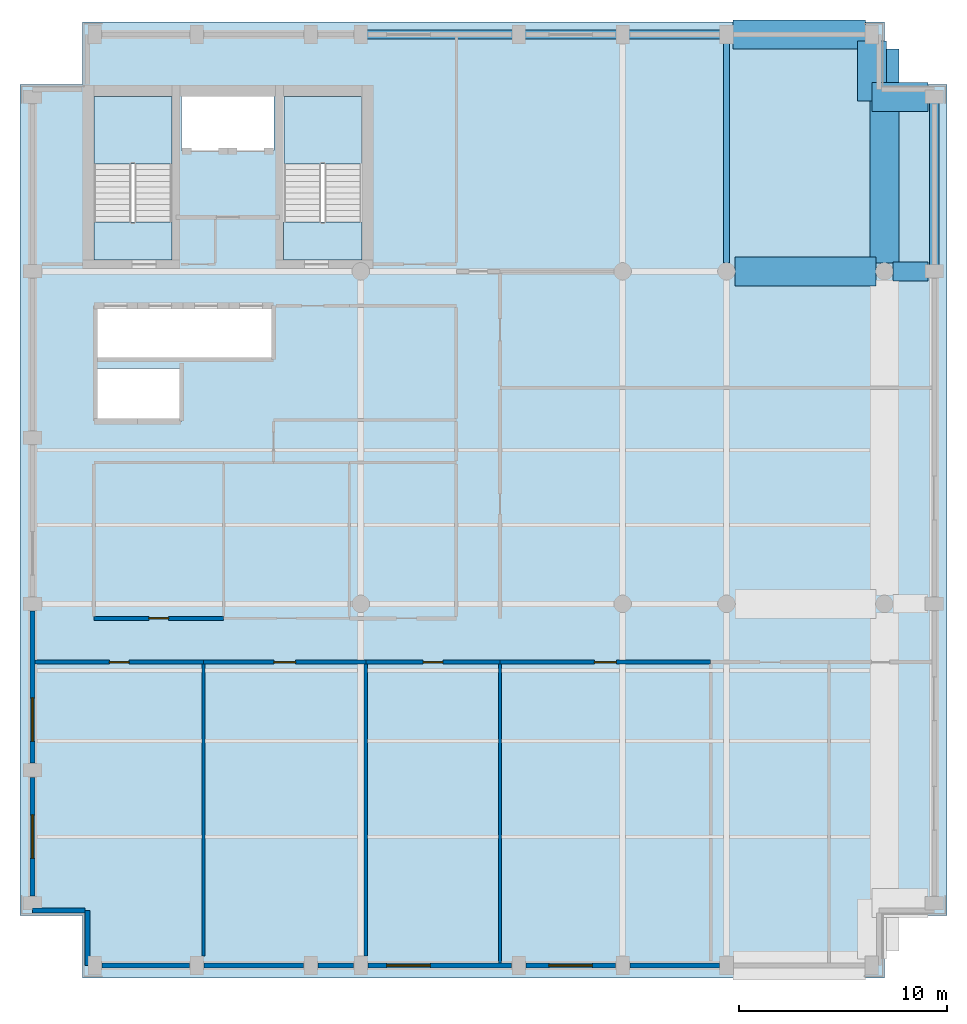
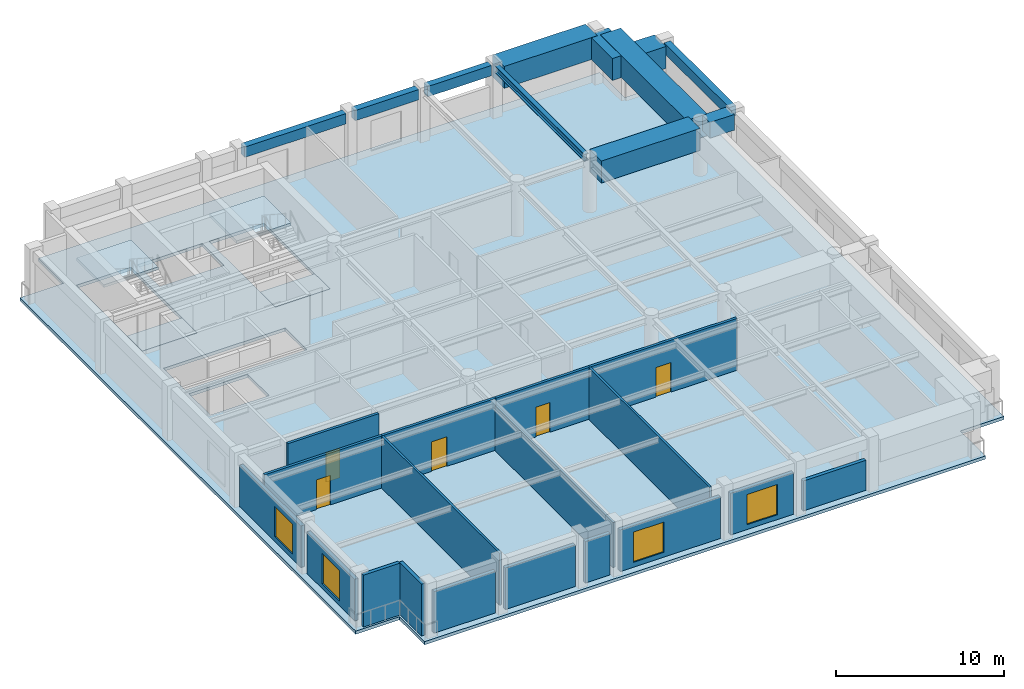
# One storey, part 2 of 8: 18 walls, 11 beams, 5 doors, 5 slabs, 4 windows, 9 openings, 2 elements without a shape of their own.
"""IFC4 building model written with IfcOpenShell, lengths in metres."""

from ifc_helpers import new_model, si_unit, direction, frame, frame_2d, origin, origin_2d, place, context, subcontext, project, spatial, polyline, rectangle, i_section, outline, extrude, material, layer, layer_set, material_profile, profile_set, type_object, element, fill, aggregate, save


model = new_model("IFC4")

# Units and contexts
model_context = context("Model", 3, precision=1e-05, world=origin(), true_north=direction((0.0, 1.0)))
body_context = subcontext(model_context, "Body", "Model", "MODEL_VIEW")
ifc_project = project(units=[si_unit("LENGTHUNIT", "METRE"), si_unit("AREAUNIT", "SQUARE_METRE"), si_unit("VOLUMEUNIT", "CUBIC_METRE"), si_unit("PLANEANGLEUNIT", "RADIAN"), si_unit("MASSUNIT", "GRAM", prefix="KILO")], contexts=[model_context])

# Site, building, storey
site_placement = place(None, origin())
site = spatial("IfcSite", under=ifc_project, at=site_placement, CompositionType="ELEMENT")
building_placement = place(site_placement, origin())
building = spatial("IfcBuilding", under=site, at=building_placement, Name="Sulina Concourse Tower", CompositionType="ELEMENT")
storey_placement = place(building_placement, frame((0.0, 0.0, 293.0)))
storey = spatial("IfcBuildingStorey", under=building, at=storey_placement, Name="L71", CompositionType="ELEMENT", Elevation=293.0)

# Beams
ifc_material_1 = material(Name="Steel S355", Category="steel")
ifc_material_profile_1 = material_profile(ifc_material_1, i_section(OverallWidth=0.300048828125, OverallDepth=0.5, WebThickness=0.014404296875, FlangeThickness=0.028076171875, at=origin_2d()), Name="HE 500 B")
ifc_profile_set_1 = profile_set([ifc_material_profile_1], Name="Steel S355")
beam_type_1 = type_object("IfcBeamType", Name="Crown & Canopy Primary Girder HE500B", PredefinedType="BEAM", material=ifc_profile_set_1)
beam_1_placement = place(storey_placement, frame((34.0, 34.405029296875, 3.52490234375), z_axis=(0.0, 1.0, 0.0), x_axis=(-1.0, 0.0, 0.0)))
element("IfcBeam", 1, at=beam_1_placement, inside=storey, type_object=beam_type_1, Name="FG-NSC-34-L71", PredefinedType="BEAM", context=body_context, shape_type="SweptSolid", body=[
    extrude(i_section(OverallWidth=0.300048828125, OverallDepth=0.5, WebThickness=0.014404296875, FlangeThickness=0.028076171875, at=origin_2d()), origin(), (0.0, 0.0, 1.0), 10.68994140625),
])
ifc_material_2 = material(Name="Concrete C60/75", Category="concrete")
ifc_material_profile_2 = material_profile(ifc_material_2, rectangle(XDim=1.39990234375, YDim=1.60009765625, at=origin_2d()), Name="RC 1400x1600")
ifc_profile_set_2 = profile_set([ifc_material_profile_2], Name="Concrete C60/75")
beam_type_2 = type_object("IfcBeamType", Name="Perimeter & Step Transfer Girder 1400x1600", PredefinedType="BEAM", material=ifc_profile_set_2)
beam_2_placement = place(storey_placement, frame((34.304931640625, 45.39990234375, 2.97509765625), z_axis=(1.0, 0.0, 0.0), x_axis=(0.0, 1.0, 0.0)))
element("IfcBeam", 2, at=beam_2_placement, inside=storey, type_object=beam_type_2, Name="TG-CSTEP-N7-L71", PredefinedType="BEAM", context=body_context, shape_type="SweptSolid", body=[
    extrude(rectangle(XDim=1.39990234375, YDim=1.60009765625, at=origin_2d()), origin(), (0.0, 0.0, 1.0), 6.39013671875),
])
beam_3_placement = place(storey_placement, frame((41.0, 42.39990234375, 2.965087890625), z_axis=(1.0, 0.0, 0.0), x_axis=(0.0, 1.0, 0.0)))
element("IfcBeam", 3, at=beam_3_placement, inside=storey, type_object=beam_type_2, Name="TIE-NE-L71", PredefinedType="BEAM", context=body_context, shape_type="SweptSolid", body=[
    extrude(rectangle(XDim=1.39990234375, YDim=1.60009765625, at=origin_2d()), origin(), (0.0, 0.0, 1.0), 2.695068359375),
])
beam_4_placement = place(storey_placement, frame((41.0, 42.199951171875, 2.965087890625), z_axis=(0.0, 1.0, 0.0), x_axis=(-1.0, 0.0, 0.0)))
element("IfcBeam", 4, at=beam_4_placement, inside=storey, type_object=beam_type_2, Name="TIE-NEN-L71", PredefinedType="BEAM", context=body_context, shape_type="SweptSolid", body=[
    extrude(rectangle(XDim=1.39990234375, YDim=1.60009765625, at=origin_2d()), origin(), (0.0, 0.0, 1.0), 2.89501953125),
])
beam_5_placement = place(storey_placement, frame((34.405029296875, 34.0, 2.97509765625), z_axis=(1.0, 0.0, 0.0), x_axis=(0.0, 1.0, 0.0)))
element("IfcBeam", 5, at=beam_5_placement, inside=storey, type_object=beam_type_2, Name="TG-EW-N4-L71", PredefinedType="BEAM", context=body_context, shape_type="SweptSolid", body=[
    extrude(rectangle(XDim=1.39990234375, YDim=1.60009765625, at=origin_2d()), origin(), (0.0, 0.0, 1.0), 6.7900390625),
])
beam_6_placement = place(storey_placement, frame((41.60009765625, 34.405029296875, 2.97509765625), z_axis=(0.0, 1.0, 0.0), x_axis=(-1.0, 0.0, 0.0)))
element("IfcBeam", 6, at=beam_6_placement, inside=storey, type_object=beam_type_2, Name="TG-NS-N-41-L71", PredefinedType="BEAM", context=body_context, shape_type="SweptSolid", body=[
    extrude(rectangle(XDim=1.39990234375, YDim=1.60009765625, at=origin_2d()), origin(), (0.0, 0.0, 1.0), 10.294921875),
])
ifc_material_3 = material(Name="Concrete C60/75", Category="concrete")
ifc_material_profile_3 = material_profile(ifc_material_3, rectangle(XDim=0.89990234375, YDim=1.14990234375, at=origin_2d()), Name="RC 900x1150")
ifc_profile_set_3 = profile_set([ifc_material_profile_3], Name="Concrete C60/75")
beam_type_3 = type_object("IfcBeamType", Name="Short-Span Step Transfer Beam 900x1150", PredefinedType="BEAM", material=ifc_profile_set_3)
beam_7_placement = place(storey_placement, frame((42.0048828125, 34.0, 3.18994140625), z_axis=(1.0, 0.0, 0.0), x_axis=(0.0, 1.0, 0.0)))
element("IfcBeam", 7, at=beam_7_placement, inside=storey, type_object=beam_type_3, Name="TG-EW-N5-L71", PredefinedType="BEAM", context=body_context, shape_type="SweptSolid", body=[
    extrude(rectangle(XDim=0.89990234375, YDim=1.14990234375, at=origin_2d()), origin(), (0.0, 0.0, 1.0), 1.690185546875),
])
ifc_material_4 = material(Name="Precast concrete C50/60", Category="concrete")
ifc_material_profile_4 = material_profile(ifc_material_4, rectangle(XDim=0.449951171875, YDim=0.75, at=origin_2d()), Name="RC 450x750")
ifc_profile_set_4 = profile_set([ifc_material_profile_4], Name="Precast concrete C50/60")
beam_type_4 = type_object("IfcBeamType", Name="Upper Precast Spandrel Edge Beam 450x750", PredefinedType="BEAM", material=ifc_profile_set_4)
beam_8_placement = place(storey_placement, frame((16.705078125, 45.39990234375, 3.39990234375), z_axis=(1.0, 0.0, 0.0), x_axis=(0.0, 1.0, 0.0)))
element("IfcBeam", 8, at=beam_8_placement, inside=storey, type_object=beam_type_4, Name="SP-N4-L71", PredefinedType="BEAM", context=body_context, shape_type="SweptSolid", body=[
    extrude(rectangle(XDim=0.449951171875, YDim=0.75, at=origin_2d()), origin(), (0.0, 0.0, 1.0), 6.989990234375),
])
for number, where, z_axis, x_axis, name in (
    (9, (24.304931640625, 45.39990234375, 3.39990234375), (1.0, 0.0, 0.0), (0.0, 1.0, 0.0), "SP-N5-L71"),
    (10, (29.304931640625, 45.39990234375, 3.39990234375), (1.0, 0.0, 0.0), (0.0, 1.0, 0.0), "SP-N6-L71"),
):
    element("IfcBeam", number, at=place(storey_placement, frame(where, z_axis=z_axis, x_axis=x_axis)), inside=storey, type_object=beam_type_4, Name=name, PredefinedType="BEAM", context=body_context, shape_type="SweptSolid", body=[
        extrude(rectangle(XDim=0.449951171875, YDim=0.75, at=origin_2d()), origin(), (0.0, 0.0, 1.0), 4.39013671875),
    ])
beam_9_placement = place(storey_placement, frame((44.0, 34.304931640625, 3.389892578125), z_axis=(0.0, 1.0, 0.0), x_axis=(-1.0, 0.0, 0.0)))
element("IfcBeam", 11, at=beam_9_placement, inside=storey, type_object=beam_type_4, Name="SP-E3-L71", PredefinedType="BEAM", context=body_context, shape_type="SweptSolid", body=[
    extrude(rectangle(XDim=0.449951171875, YDim=0.75, at=origin_2d()), origin(), (0.0, 0.0, 1.0), 7.7900390625),
])

# Slabs
ifc_material_5 = material(Name="Concrete C50/60", Category="concrete")
ifc_layer_1 = layer(ifc_material_5, 0.22509765625)
ifc_layer_set_1 = layer_set([ifc_layer_1], Name="Concrete C50/60")
slab_type_1 = type_object("IfcSlabType", Name="Crown & Observation Floor Slab 225mm", PredefinedType="FLOOR", material=ifc_layer_set_1)
slab_1_placement = place(storey_placement, frame((0.0, 0.0, -0.22509765625)))
element("IfcSlab", 12, at=slab_1_placement, inside=storey, type_object=slab_type_1, Name="L71 structural floor slab", PredefinedType="FLOOR", context=body_context, shape_type="SweptSolid", body=[
    extrude(outline(polyline([(3.0, 0.0), (41.60009765625, 0.0), (41.60009765625, 3.0), (44.60009765625, 3.0), (44.60009765625, 43.0), (41.60009765625, 43.0), (41.60009765625, 46.0), (3.0, 46.0), (3.0, 43.0), (0.0, 43.0), (0.0, 3.0), (3.0, 3.0), (3.0, 0.0)]), holes=[polyline([(7.31005859375, 34.550048828125), (7.31005859375, 42.429931640625), (3.550048828125, 42.429931640625), (3.550048828125, 34.550048828125), (7.31005859375, 34.550048828125)]), polyline([(16.449951171875, 34.550048828125), (16.449951171875, 42.429931640625), (12.68994140625, 42.429931640625), (12.68994140625, 34.550048828125), (16.449951171875, 34.550048828125)]), polyline([(7.780029296875, 39.830078125), (12.219970703125, 39.830078125), (12.219970703125, 42.449951171875), (7.780029296875, 42.449951171875), (7.780029296875, 39.830078125)]), polyline([(3.739990234375, 26.780029296875), (7.77001953125, 26.780029296875), (7.77001953125, 29.320068359375), (3.739990234375, 29.320068359375), (3.739990234375, 26.780029296875)]), polyline([(3.739990234375, 29.780029296875), (12.10009765625, 29.780029296875), (12.10009765625, 32.3701171875), (3.739990234375, 32.3701171875), (3.739990234375, 29.780029296875)])]), origin(), (0.0, 0.0, 1.0), 0.22509765625),
])
ifc_material_6 = material(Name="Concrete C50/60", Category="concrete")
ifc_layer_2 = layer(ifc_material_6, 0.199951171875)
ifc_layer_set_2 = layer_set([ifc_layer_2], Name="Concrete C50/60")
slab_type_2 = type_object("IfcSlabType", Name="Primary Core Stair Landing Slab 200mm", PredefinedType="LANDING", material=ifc_layer_set_2)
slab_2_placement = place(storey_placement, frame((0.0, 0.0, -0.199951171875)))
element("IfcSlab", 13, at=slab_2_placement, inside=storey, type_object=slab_type_2, Name="L71 ST-1 floor landing slab", PredefinedType="LANDING", context=body_context, shape_type="SweptSolid", body=[
    extrude(outline(polyline([(7.31005859375, 34.550048828125), (7.31005859375, 36.375), (3.550048828125, 36.375), (3.550048828125, 34.550048828125), (7.31005859375, 34.550048828125)])), origin(), (0.0, 0.0, 1.0), 0.199951171875),
])
slab_3_placement = place(storey_placement, frame((0.0, 0.0, -0.199951171875)))
element("IfcSlab", 14, at=slab_3_placement, inside=storey, type_object=slab_type_2, Name="L71 ST-2 floor landing slab", PredefinedType="LANDING", context=body_context, shape_type="SweptSolid", body=[
    extrude(outline(polyline([(16.449951171875, 34.550048828125), (16.449951171875, 36.375), (12.68994140625, 36.375), (12.68994140625, 34.550048828125), (16.449951171875, 34.550048828125)])), origin(), (0.0, 0.0, 1.0), 0.199951171875),
])

# Stair, slab
ifc_material_7 = material(Name="Concrete C50/60", Category="concrete")
stair_type = type_object("IfcStairType", Name="Primary Core Dog-Leg Exit Stair 1800mm", PredefinedType="HALF_TURN_STAIR", material=ifc_material_7)
stair_1_placement = place(storey_placement, origin())
stair_1 = element("IfcStair", 15, at=stair_1_placement, inside=storey, type_object=stair_type, Name="L71 ST-1", PredefinedType="HALF_TURN_STAIR")
slab_4_placement = place(storey_placement, frame((0.0, 0.0, 1.800048828125)))
slab_4 = element("IfcSlab", 16, at=slab_4_placement, type_object=slab_type_2, Name="ST-1 landing 1", PredefinedType="LANDING", context=body_context, shape_type="SweptSolid", body=[
    extrude(outline(polyline([(7.304931640625, 39.175048828125), (7.304931640625, 42.425048828125), (3.554931640625, 42.425048828125), (3.554931640625, 39.175048828125), (7.304931640625, 39.175048828125)])), origin(), (0.0, 0.0, 1.0), 0.199951171875),
])
aggregate(stair_1, [slab_4])

stair_2_placement = place(storey_placement, origin())
stair_2 = element("IfcStair", 17, at=stair_2_placement, inside=storey, type_object=stair_type, Name="L71 ST-2", PredefinedType="HALF_TURN_STAIR")
slab_5_placement = place(storey_placement, frame((0.0, 0.0, 1.800048828125)))
slab_5 = element("IfcSlab", 18, at=slab_5_placement, type_object=slab_type_2, Name="ST-2 landing 1", PredefinedType="LANDING", context=body_context, shape_type="SweptSolid", body=[
    extrude(outline(polyline([(16.445068359375, 39.175048828125), (16.445068359375, 42.425048828125), (12.695068359375, 42.425048828125), (12.695068359375, 39.175048828125), (16.445068359375, 39.175048828125)])), origin(), (0.0, 0.0, 1.0), 0.199951171875),
])
aggregate(stair_2, [slab_5])

# Walls
ifc_material_8 = material(Name="Precast concrete C50/60", Category="concrete")
ifc_layer_3 = layer(ifc_material_8, 0.239990234375)
ifc_layer_set_3 = layer_set([ifc_layer_3], Name="Precast concrete C50/60")
wall_type_1 = type_object("IfcWallType", Name="Crown Precast Masonry-Frame Facade Wall 240mm", PredefinedType="SOLIDWALL", material=ifc_layer_set_3)
wall_1_placement = place(storey_placement, frame((8.155029296875, 0.60009765625, 0.0), z_axis=(0.0, 0.0, 1.0), x_axis=(-1.0, 0.0, 0.0)))
element("IfcWall", 19, at=wall_1_placement, inside=storey, type_object=wall_type_1, Name="L71 exterior precast wall S1", PredefinedType="SOLIDWALL", context=body_context, shape_type="SweptSolid", body=[
    extrude(rectangle(XDim=4.2099609375, YDim=0.239990234375, at=frame_2d((2.10498046875, 0.0))), origin(), (0.0, 0.0, 1.0), 3.02490234375),
])
wall_2_placement = place(storey_placement, frame((13.655029296875, 0.60009765625, 0.0), z_axis=(0.0, 0.0, 1.0), x_axis=(-1.0, 0.0, 0.0)))
element("IfcWall", 20, at=wall_2_placement, inside=storey, type_object=wall_type_1, Name="L71 exterior precast wall S2", PredefinedType="SOLIDWALL", context=body_context, shape_type="SweptSolid", body=[
    extrude(rectangle(XDim=4.81005859375, YDim=0.239990234375, at=frame_2d((2.405029296875, 0.0))), origin(), (0.0, 0.0, 1.0), 3.02490234375),
])
wall_3_placement = place(storey_placement, frame((16.054931640625, 0.60009765625, 0.0), z_axis=(0.0, 0.0, 1.0), x_axis=(-1.0, 0.0, 0.0)))
element("IfcWall", 21, at=wall_3_placement, inside=storey, type_object=wall_type_1, Name="L71 exterior precast wall S3", PredefinedType="SOLIDWALL", context=body_context, shape_type="SweptSolid", body=[
    extrude(rectangle(XDim=1.7099609375, YDim=0.239990234375, at=frame_2d((0.85498046875, 0.0))), origin(), (0.0, 0.0, 1.0), 3.02490234375),
])

# Wall, opening, window
wall_4_placement = place(storey_placement, frame((23.655029296875, 0.60009765625, 0.0), z_axis=(0.0, 0.0, 1.0), x_axis=(-1.0, 0.0, 0.0)))
wall_4 = element("IfcWall", 22, at=wall_4_placement, inside=storey, type_object=wall_type_1, Name="L71 exterior precast wall S4", PredefinedType="SOLIDWALL", context=body_context, shape_type="SweptSolid", body=[
    extrude(rectangle(XDim=6.909912109375, YDim=0.239990234375, at=frame_2d((3.455078125, 0.0))), origin(), (0.0, 0.0, 1.0), 3.02490234375),
])
opening_1_placement = place(wall_4_placement, frame((3.90673828125, 0.0, 0.35009765625)))
opening_1 = element("IfcOpeningElement", 23, at=opening_1_placement, cuts=wall_4, Name="Opening WN-33", PredefinedType="OPENING", context=body_context, shape_type="SweptSolid", body=[
    extrude(rectangle(XDim=2.10009765625, YDim=2.199951171875, at=frame_2d((1.050048828125, 1.10009765625))), frame((0.0, 0.1298828125, 0.0), z_axis=(0.0, -1.0, 0.0), x_axis=(1.0, 0.0, 0.0)), (0.0, 0.0, 1.0), 0.260009765625),
])
ifc_material_9 = material(Name="Low-E solar double glazing in bronze aluminium", Category="aluminium")
window_type = type_object("IfcWindowType", Name="Punched Masonry-Frame Window 2100x2200", PartitioningType="DOUBLE_PANEL_VERTICAL", PredefinedType="WINDOW", material=ifc_material_9)
window_1_placement = place(opening_1_placement, origin())
window_1 = element("IfcWindow", 24, at=window_1_placement, inside=storey, type_object=window_type, Name="L71 punched window S4-1", OverallHeight=2.199951171875, OverallWidth=2.10009765625, PartitioningType="SINGLE_PANEL", PredefinedType="WINDOW", context=body_context, shape_type="SweptSolid", body=[
    extrude(rectangle(XDim=2.10009765625, YDim=2.199951171875, at=frame_2d((1.050048828125, 1.10009765625))), frame((0.0, 0.030029296875, 0.0), z_axis=(0.0, -1.0, 0.0), x_axis=(1.0, 0.0, 0.0)), (0.0, 0.0, 1.0), 0.06005859375),
])
fill(opening_1, window_1)

wall_5_placement = place(storey_placement, frame((28.655029296875, 0.60009765625, 0.0), z_axis=(0.0, 0.0, 1.0), x_axis=(-1.0, 0.0, 0.0)))
wall_5 = element("IfcWall", 25, at=wall_5_placement, inside=storey, type_object=wall_type_1, Name="L71 exterior precast wall S5", PredefinedType="SOLIDWALL", context=body_context, shape_type="SweptSolid", body=[
    extrude(rectangle(XDim=4.31005859375, YDim=0.239990234375, at=frame_2d((2.155029296875, 0.0))), origin(), (0.0, 0.0, 1.0), 3.02490234375),
])
opening_2_placement = place(wall_5_placement, frame((1.10498046875, 0.0, 0.35009765625)))
opening_2 = element("IfcOpeningElement", 26, at=opening_2_placement, cuts=wall_5, Name="Opening WN-33", PredefinedType="OPENING", context=body_context, shape_type="SweptSolid", body=[
    extrude(rectangle(XDim=2.10009765625, YDim=2.199951171875, at=frame_2d((1.050048828125, 1.10009765625))), frame((0.0, 0.1298828125, 0.0), z_axis=(0.0, -1.0, 0.0), x_axis=(1.0, 0.0, 0.0)), (0.0, 0.0, 1.0), 0.260009765625),
])
window_2_placement = place(opening_2_placement, origin())
window_2 = element("IfcWindow", 27, at=window_2_placement, inside=storey, type_object=window_type, Name="L71 punched window S5-1", OverallHeight=2.199951171875, OverallWidth=2.10009765625, PartitioningType="SINGLE_PANEL", PredefinedType="WINDOW", context=body_context, shape_type="SweptSolid", body=[
    extrude(rectangle(XDim=2.10009765625, YDim=2.199951171875, at=frame_2d((1.050048828125, 1.10009765625))), frame((0.0, 0.030029296875, 0.0), z_axis=(0.0, -1.0, 0.0), x_axis=(1.0, 0.0, 0.0)), (0.0, 0.0, 1.0), 0.06005859375),
])
fill(opening_2, window_2)

# Wall
wall_6_placement = place(storey_placement, frame((33.655029296875, 0.60009765625, 0.0), z_axis=(0.0, 0.0, 1.0), x_axis=(-1.0, 0.0, 0.0)))
element("IfcWall", 28, at=wall_6_placement, inside=storey, type_object=wall_type_1, Name="L71 exterior precast wall S6", PredefinedType="SOLIDWALL", context=body_context, shape_type="SweptSolid", body=[
    extrude(rectangle(XDim=4.31005859375, YDim=0.239990234375, at=frame_2d((2.155029296875, 0.0))), origin(), (0.0, 0.0, 1.0), 2.175048828125),
])

# Wall, opening, window
wall_7_placement = place(storey_placement, frame((0.60009765625, 3.945068359375, 0.0), z_axis=(0.0, 0.0, 1.0), x_axis=(0.0, 1.0, 0.0)))
wall_7 = element("IfcWall", 29, at=wall_7_placement, inside=storey, type_object=wall_type_1, Name="L71 exterior precast wall W1", PredefinedType="SOLIDWALL", context=body_context, shape_type="SweptSolid", body=[
    extrude(rectangle(XDim=5.7099609375, YDim=0.239990234375, at=frame_2d((2.85498046875, 0.0))), origin(), (0.0, 0.0, 1.0), 3.02490234375),
])
opening_3_placement = place(wall_7_placement, frame((1.804931640625, 0.0, 0.35009765625)))
opening_3 = element("IfcOpeningElement", 30, at=opening_3_placement, cuts=wall_7, Name="Opening WN-33", PredefinedType="OPENING", context=body_context, shape_type="SweptSolid", body=[
    extrude(rectangle(XDim=2.10009765625, YDim=2.199951171875, at=frame_2d((1.050048828125, 1.10009765625))), frame((0.0, 0.1298828125, 0.0), z_axis=(0.0, -1.0, 0.0), x_axis=(1.0, 0.0, 0.0)), (0.0, 0.0, 1.0), 0.260009765625),
])
window_3_placement = place(opening_3_placement, origin())
window_3 = element("IfcWindow", 31, at=window_3_placement, inside=storey, type_object=window_type, Name="L71 punched window W1-1", OverallHeight=2.199951171875, OverallWidth=2.10009765625, PartitioningType="SINGLE_PANEL", PredefinedType="WINDOW", context=body_context, shape_type="SweptSolid", body=[
    extrude(rectangle(XDim=2.10009765625, YDim=2.199951171875, at=frame_2d((1.050048828125, 1.10009765625))), frame((0.0, 0.030029296875, 0.0), z_axis=(0.0, -1.0, 0.0), x_axis=(1.0, 0.0, 0.0)), (0.0, 0.0, 1.0), 0.06005859375),
])
fill(opening_3, window_3)

wall_8_placement = place(storey_placement, frame((0.60009765625, 10.344970703125, 0.0), z_axis=(0.0, 0.0, 1.0), x_axis=(0.0, 1.0, 0.0)))
wall_8 = element("IfcWall", 32, at=wall_8_placement, inside=storey, type_object=wall_type_1, Name="L71 exterior precast wall W2", PredefinedType="SOLIDWALL", context=body_context, shape_type="SweptSolid", body=[
    extrude(rectangle(XDim=7.31005859375, YDim=0.239990234375, at=frame_2d((3.655029296875, 0.0))), origin(), (0.0, 0.0, 1.0), 3.02490234375),
])
opening_4_placement = place(wall_8_placement, frame((1.03662109375, 0.0, 0.35009765625)))
opening_4 = element("IfcOpeningElement", 33, at=opening_4_placement, cuts=wall_8, Name="Opening WN-33", PredefinedType="OPENING", context=body_context, shape_type="SweptSolid", body=[
    extrude(rectangle(XDim=2.10009765625, YDim=2.199951171875, at=frame_2d((1.050048828125, 1.10009765625))), frame((0.0, 0.1298828125, 0.0), z_axis=(0.0, -1.0, 0.0), x_axis=(1.0, 0.0, 0.0)), (0.0, 0.0, 1.0), 0.260009765625),
])
window_4_placement = place(opening_4_placement, origin())
window_4 = element("IfcWindow", 34, at=window_4_placement, inside=storey, type_object=window_type, Name="L71 punched window W2-1", OverallHeight=2.199951171875, OverallWidth=2.10009765625, PartitioningType="SINGLE_PANEL", PredefinedType="WINDOW", context=body_context, shape_type="SweptSolid", body=[
    extrude(rectangle(XDim=2.10009765625, YDim=2.199951171875, at=frame_2d((1.050048828125, 1.10009765625))), frame((0.0, 0.030029296875, 0.0), z_axis=(0.0, -1.0, 0.0), x_axis=(1.0, 0.0, 0.0)), (0.0, 0.0, 1.0), 0.06005859375),
])
fill(opening_4, window_4)

# Walls
wall_9_placement = place(storey_placement, frame((3.2548828125, 0.60009765625, 0.0), z_axis=(0.0, 0.0, 1.0), x_axis=(0.0, 1.0, 0.0)))
element("IfcWall", 35, at=wall_9_placement, inside=storey, type_object=wall_type_1, Name="L71 exterior precast wall CSW1", PredefinedType="SOLIDWALL", context=body_context, shape_type="SweptSolid", body=[
    extrude(rectangle(XDim=2.65478515625, YDim=0.239990234375, at=frame_2d((1.327392578125, 0.0))), origin(), (0.0, 0.0, 1.0), 3.77490234375),
])
wall_10_placement = place(storey_placement, frame((3.1298828125, 3.2548828125, 0.0), z_axis=(0.0, 0.0, 1.0), x_axis=(-1.0, 0.0, 0.0)))
element("IfcWall", 36, at=wall_10_placement, inside=storey, type_object=wall_type_1, Name="L71 exterior precast wall CSW2", PredefinedType="SOLIDWALL", context=body_context, shape_type="SweptSolid", body=[
    extrude(rectangle(XDim=2.52978515625, YDim=0.239990234375, at=frame_2d((1.264892578125, 0.0))), origin(), (0.0, 0.0, 1.0), 3.77490234375),
])
ifc_material_10 = material(Name="Gypsum board on steel stud", Category="steel")
ifc_layer_4 = layer(ifc_material_10, 0.14990234375)
ifc_layer_set_4 = layer_set([ifc_layer_4], Name="Gypsum board on steel stud")
wall_type_2 = type_object("IfcWallType", Name="Inter-Tenancy Acoustic Partition 150mm", PredefinedType="PARTITIONING", material=ifc_layer_set_4)
wall_11_placement = place(storey_placement, frame((8.840087890625, 1.050048828125, 0.0), z_axis=(0.0, 0.0, 1.0), x_axis=(0.0, 1.0, 0.0)))
element("IfcWall", 37, at=wall_11_placement, inside=storey, type_object=wall_type_2, Name="L71 interior partition 024", PredefinedType="PARTITIONING", context=body_context, shape_type="SweptSolid", body=[
    extrude(rectangle(XDim=14.06005859375, YDim=0.14990234375, at=frame_2d((7.030029296875, 0.0))), origin(), (0.0, 0.0, 1.0), 3.77490234375),
])
wall_12_placement = place(storey_placement, frame((16.639892578125, 1.050048828125, 0.0), z_axis=(0.0, 0.0, 1.0), x_axis=(0.0, 1.0, 0.0)))
element("IfcWall", 38, at=wall_12_placement, inside=storey, type_object=wall_type_2, Name="L71 interior partition 029", PredefinedType="PARTITIONING", context=body_context, shape_type="SweptSolid", body=[
    extrude(rectangle(XDim=14.06005859375, YDim=0.14990234375, at=frame_2d((7.030029296875, 0.0))), origin(), (0.0, 0.0, 1.0), 3.27001953125),
])
wall_13_placement = place(storey_placement, frame((23.10009765625, 0.719970703125, 0.0), z_axis=(0.0, 0.0, 1.0), x_axis=(0.0, 1.0, 0.0)))
element("IfcWall", 39, at=wall_13_placement, inside=storey, type_object=wall_type_2, Name="L71 interior partition 034", PredefinedType="PARTITIONING", context=body_context, shape_type="SweptSolid", body=[
    extrude(rectangle(XDim=14.39013671875, YDim=0.14990234375, at=frame_2d((7.195068359375, 0.0))), origin(), (0.0, 0.0, 1.0), 3.77490234375),
])

# Wall, opening, door
ifc_material_11 = material(Name="Gypsum board on steel stud", Category="steel")
ifc_layer_5 = layer(ifc_material_11, 0.179931640625)
ifc_layer_set_5 = layer_set([ifc_layer_5], Name="Gypsum board on steel stud")
wall_type_3 = type_object("IfcWallType", Name="Protected Corridor & Riser Partition 180mm", PredefinedType="PARTITIONING", material=ifc_layer_set_5)
wall_14_placement = place(storey_placement, frame((0.719970703125, 15.199951171875, 0.0), z_axis=(0.0, 0.0, 1.0), x_axis=(1.0, 0.0, 0.0)))
wall_14 = element("IfcWall", 40, at=wall_14_placement, inside=storey, type_object=wall_type_3, Name="L71 interior partition 001", PredefinedType="PARTITIONING", context=body_context, shape_type="SweptSolid", body=[
    extrude(rectangle(XDim=8.1201171875, YDim=0.179931640625, at=frame_2d((4.06005859375, 0.0))), origin(), (0.0, 0.0, 1.0), 3.77490234375),
])
opening_5_placement = place(wall_14_placement, frame((3.5849609375, 0.0, 0.0)))
opening_5 = element("IfcOpeningElement", 41, at=opening_5_placement, cuts=wall_14, Name="Opening DR-19", PredefinedType="OPENING", context=body_context, shape_type="SweptSolid", body=[
    extrude(rectangle(XDim=0.949951171875, YDim=2.14990234375, at=frame_2d((0.47509765625, 1.074951171875))), frame((0.0, 0.099853515625, 0.0), z_axis=(0.0, -1.0, 0.0), x_axis=(1.0, 0.0, 0.0)), (0.0, 0.0, 1.0), 0.199951171875),
])
ifc_material_12 = material(Name="Oak-veneered acoustic timber leaf", Category="wood")
ifc_layer_6 = layer(ifc_material_12, 0.050048828125)
ifc_layer_set_6 = layer_set([ifc_layer_6], Name="Oak-veneered acoustic timber leaf")
door_type_1 = type_object("IfcDoorType", Name="Cellular Office & Meeting Door 950x2150", OperationType="NOTDEFINED", PredefinedType="DOOR", material=ifc_layer_set_6)
door_1_placement = place(opening_5_placement, origin())
door_1 = element("IfcDoor", 42, at=door_1_placement, inside=storey, type_object=door_type_1, Name="L71 interior door L71-S01A", OperationType="SINGLE_SWING_RIGHT", OverallHeight=2.14990234375, OverallWidth=0.949951171875, PredefinedType="DOOR", context=body_context, shape_type="SweptSolid", body=[
    extrude(rectangle(XDim=0.949951171875, YDim=2.14990234375, at=frame_2d((0.47509765625, 1.074951171875))), frame((0.0, 0.02490234375, 0.0), z_axis=(0.0, -1.0, 0.0), x_axis=(1.0, 0.0, 0.0)), (0.0, 0.0, 1.0), 0.050048828125),
])
fill(opening_5, door_1)

wall_15_placement = place(storey_placement, frame((8.840087890625, 15.199951171875, 0.0), z_axis=(0.0, 0.0, 1.0), x_axis=(1.0, 0.0, 0.0)))
wall_15 = element("IfcWall", 43, at=wall_15_placement, inside=storey, type_object=wall_type_3, Name="L71 interior partition 002", PredefinedType="PARTITIONING", context=body_context, shape_type="SweptSolid", body=[
    extrude(rectangle(XDim=7.7998046875, YDim=0.179931640625, at=frame_2d((3.89990234375, 0.0))), origin(), (0.0, 0.0, 1.0), 3.77490234375),
])
opening_6_placement = place(wall_15_placement, frame((3.375, 0.0, 0.0)))
opening_6 = element("IfcOpeningElement", 44, at=opening_6_placement, cuts=wall_15, Name="Opening DR-37", PredefinedType="OPENING", context=body_context, shape_type="SweptSolid", body=[
    extrude(rectangle(XDim=1.050048828125, YDim=2.14990234375, at=frame_2d((0.52490234375, 1.074951171875))), frame((0.0, 0.099853515625, 0.0), z_axis=(0.0, -1.0, 0.0), x_axis=(1.0, 0.0, 0.0)), (0.0, 0.0, 1.0), 0.199951171875),
])
ifc_material_13 = material(Name="Oak-veneered fire door leaf")
ifc_layer_7 = layer(ifc_material_13, 0.050048828125)
ifc_layer_set_7 = layer_set([ifc_layer_7], Name="Oak-veneered fire door leaf")
door_type_2 = type_object("IfcDoorType", Name="Tenant Suite Entrance Fire Door 1050x2150", OperationType="NOTDEFINED", PredefinedType="DOOR", material=ifc_layer_set_7)
door_2_placement = place(opening_6_placement, origin())
door_2 = element("IfcDoor", 45, at=door_2_placement, inside=storey, type_object=door_type_2, Name="L71 interior door L71-S01B", OperationType="SINGLE_SWING_LEFT", OverallHeight=2.14990234375, OverallWidth=1.050048828125, PredefinedType="DOOR", context=body_context, shape_type="SweptSolid", body=[
    extrude(rectangle(XDim=1.050048828125, YDim=2.14990234375, at=frame_2d((0.52490234375, 1.074951171875))), frame((0.0, 0.02490234375, 0.0), z_axis=(0.0, -1.0, 0.0), x_axis=(1.0, 0.0, 0.0)), (0.0, 0.0, 1.0), 0.050048828125),
])
fill(opening_6, door_2)

wall_16_placement = place(storey_placement, frame((16.639892578125, 15.199951171875, 0.0), z_axis=(0.0, 0.0, 1.0), x_axis=(1.0, 0.0, 0.0)))
wall_16 = element("IfcWall", 46, at=wall_16_placement, inside=storey, type_object=wall_type_3, Name="L71 interior partition 003", PredefinedType="PARTITIONING", context=body_context, shape_type="SweptSolid", body=[
    extrude(rectangle(XDim=6.460205078125, YDim=0.179931640625, at=frame_2d((3.22998046875, 0.0))), origin(), (0.0, 0.0, 1.0), 3.77490234375),
])
opening_7_placement = place(wall_16_placement, frame((2.7548828125, 0.0, 0.0)))
opening_7 = element("IfcOpeningElement", 47, at=opening_7_placement, cuts=wall_16, Name="Opening DR-19", PredefinedType="OPENING", context=body_context, shape_type="SweptSolid", body=[
    extrude(rectangle(XDim=0.949951171875, YDim=2.14990234375, at=frame_2d((0.47509765625, 1.074951171875))), frame((0.0, 0.099853515625, 0.0), z_axis=(0.0, -1.0, 0.0), x_axis=(1.0, 0.0, 0.0)), (0.0, 0.0, 1.0), 0.199951171875),
])
door_3_placement = place(opening_7_placement, origin())
door_3 = element("IfcDoor", 48, at=door_3_placement, inside=storey, type_object=door_type_1, Name="L71 interior door L71-S02", OperationType="SINGLE_SWING_RIGHT", OverallHeight=2.14990234375, OverallWidth=0.949951171875, PredefinedType="DOOR", context=body_context, shape_type="SweptSolid", body=[
    extrude(rectangle(XDim=0.949951171875, YDim=2.14990234375, at=frame_2d((0.47509765625, 1.074951171875))), frame((0.0, 0.02490234375, 0.0), z_axis=(0.0, -1.0, 0.0), x_axis=(1.0, 0.0, 0.0)), (0.0, 0.0, 1.0), 0.050048828125),
])
fill(opening_7, door_3)

wall_17_placement = place(storey_placement, frame((23.10009765625, 15.199951171875, 0.0), z_axis=(0.0, 0.0, 1.0), x_axis=(1.0, 0.0, 0.0)))
wall_17 = element("IfcWall", 49, at=wall_17_placement, inside=storey, type_object=wall_type_3, Name="L71 interior partition 004", PredefinedType="PARTITIONING", context=body_context, shape_type="SweptSolid", body=[
    extrude(rectangle(XDim=10.139892578125, YDim=0.179931640625, at=frame_2d((5.06982421875, 0.0))), origin(), (0.0, 0.0, 1.0), 3.77490234375),
])
opening_8_placement = place(wall_17_placement, frame((4.544921875, 0.0, 0.0)))
opening_8 = element("IfcOpeningElement", 50, at=opening_8_placement, cuts=wall_17, Name="Opening DR-37", PredefinedType="OPENING", context=body_context, shape_type="SweptSolid", body=[
    extrude(rectangle(XDim=1.050048828125, YDim=2.14990234375, at=frame_2d((0.52490234375, 1.074951171875))), frame((0.0, 0.099853515625, 0.0), z_axis=(0.0, -1.0, 0.0), x_axis=(1.0, 0.0, 0.0)), (0.0, 0.0, 1.0), 0.199951171875),
])
door_4_placement = place(opening_8_placement, origin())
door_4 = element("IfcDoor", 51, at=door_4_placement, inside=storey, type_object=door_type_2, Name="L71 interior door L71-S03", OperationType="SINGLE_SWING_LEFT", OverallHeight=2.14990234375, OverallWidth=1.050048828125, PredefinedType="DOOR", context=body_context, shape_type="SweptSolid", body=[
    extrude(rectangle(XDim=1.050048828125, YDim=2.14990234375, at=frame_2d((0.52490234375, 1.074951171875))), frame((0.0, 0.02490234375, 0.0), z_axis=(0.0, -1.0, 0.0), x_axis=(1.0, 0.0, 0.0)), (0.0, 0.0, 1.0), 0.050048828125),
])
fill(opening_8, door_4)

wall_18_placement = place(storey_placement, frame((3.550048828125, 17.300048828125, 0.0), z_axis=(0.0, 0.0, 1.0), x_axis=(1.0, 0.0, 0.0)))
wall_18 = element("IfcWall", 52, at=wall_18_placement, inside=storey, type_object=wall_type_3, Name="L71 interior partition 007", PredefinedType="PARTITIONING", context=body_context, shape_type="SweptSolid", body=[
    extrude(rectangle(XDim=6.25, YDim=0.179931640625, at=frame_2d((3.125, 0.0))), origin(), (0.0, 0.0, 1.0), 3.77490234375),
])
opening_9_placement = place(wall_18_placement, frame((2.64990234375, 0.0, 0.0)))
opening_9 = element("IfcOpeningElement", 53, at=opening_9_placement, cuts=wall_18, Name="Opening DR-19", PredefinedType="OPENING", context=body_context, shape_type="SweptSolid", body=[
    extrude(rectangle(XDim=0.949951171875, YDim=2.14990234375, at=frame_2d((0.47509765625, 1.074951171875))), frame((0.0, 0.099853515625, 0.0), z_axis=(0.0, -1.0, 0.0), x_axis=(1.0, 0.0, 0.0)), (0.0, 0.0, 1.0), 0.199951171875),
])
door_5_placement = place(opening_9_placement, origin())
door_5 = element("IfcDoor", 54, at=door_5_placement, inside=storey, type_object=door_type_1, Name="L71 interior door L71-LR-MRG1", OperationType="SINGLE_SWING_RIGHT", OverallHeight=2.14990234375, OverallWidth=0.949951171875, PredefinedType="DOOR", context=body_context, shape_type="SweptSolid", body=[
    extrude(rectangle(XDim=0.949951171875, YDim=2.14990234375, at=frame_2d((0.47509765625, 1.074951171875))), frame((0.0, 0.02490234375, 0.0), z_axis=(0.0, -1.0, 0.0), x_axis=(1.0, 0.0, 0.0)), (0.0, 0.0, 1.0), 0.050048828125),
])
fill(opening_9, door_5)

save(model, "model.ifc")
